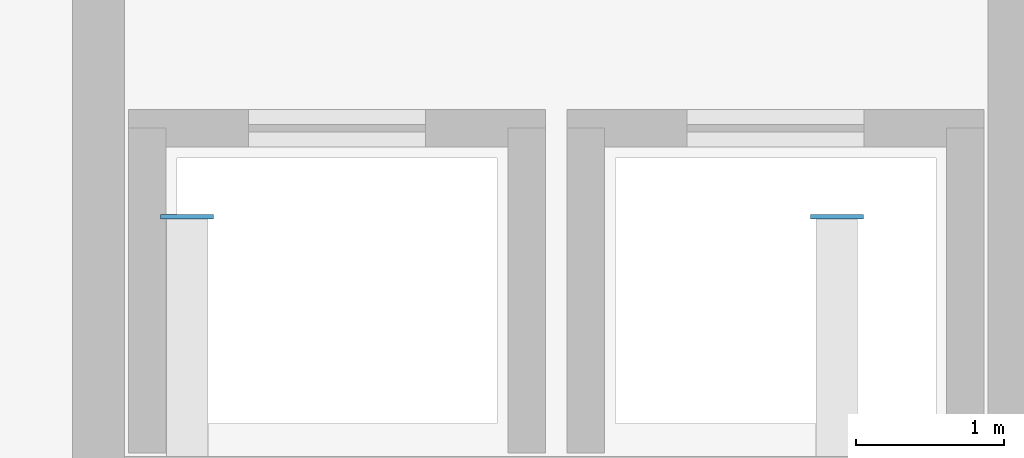
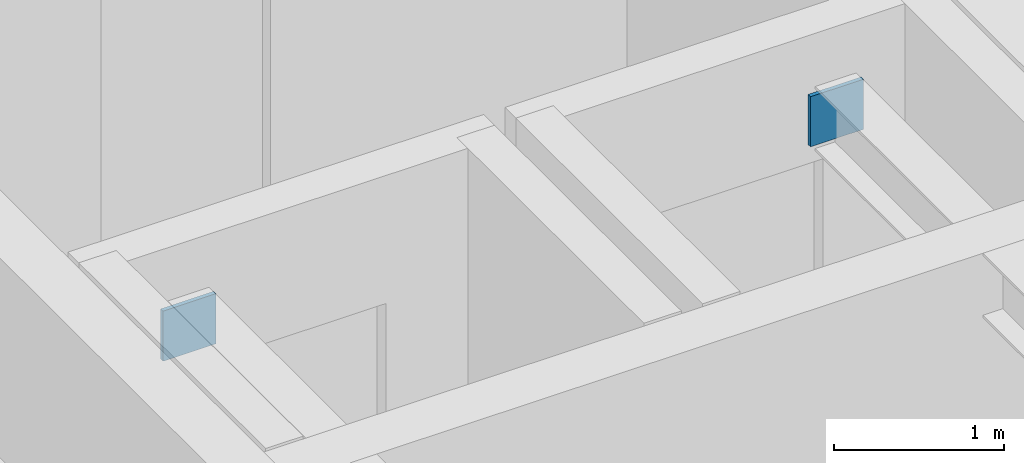
# One storey, part 74 of 93: 2 plates.
"""IFC4 building model written with IfcOpenShell, lengths in metres."""

import ifcopenshell
import ifcopenshell.guid

model = None  # the IFC model being written
_history = None  # IfcOwnerHistory: only IFC2X3 demands one
_inside = {}  # id of a spatial element -> (the spatial element, [elements in it])
_under = {}  # id of a project, library or spatial element -> (it, [spatial elements below it])
_declared = {}  # id of a project -> (the project, [libraries it declares])
_typed = {}  # id of a type object -> (the type object, [elements of that type])
_made_of = {}  # id of a material, layer set ... -> (it, [elements and type objects made of it])


def new_model(schema):
    """Start an empty IFC model of exactly this schema.

    Asked for "IFC4X3", IfcOpenShell would pick the latest addendum, in which some entities
    have other attributes; the version numbers below select the first issue.
    IFC2X3 requires an IfcOwnerHistory on every rooted entity: one is made here for all.
    """
    global model, _history
    if schema == "IFC4X3":
        model = ifcopenshell.file(schema_version=(4, 3, 0, 0))
    else:
        model = ifcopenshell.file(schema=schema)
    _inside.clear()
    _under.clear()
    _declared.clear()
    _typed.clear()
    _made_of.clear()
    _history = None
    if model.schema == "IFC2X3":
        org = make("IfcOrganization", Name="unknown")
        user = make(
            "IfcPersonAndOrganization",
            ThePerson=make("IfcPerson", FamilyName="unknown"),
            TheOrganization=org,
        )
        app = make(
            "IfcApplication",
            ApplicationDeveloper=org,
            Version="unknown",
            ApplicationFullName="unknown",
            ApplicationIdentifier="unknown",
        )
        _history = make(
            "IfcOwnerHistory",
            OwningUser=user,
            OwningApplication=app,
            ChangeAction="ADDED",
            CreationDate=0,
        )
    return model


def make(cls, **values):
    """One entity of the class cls with the attributes given. An attribute that is None is left unset."""
    return model.create_entity(
        cls, **{name: value for name, value in values.items() if value is not None}
    )


def rooted(cls, **values):
    """An entity with a GlobalId (a new one), such as an element, a storey or a relation."""
    return make(cls, GlobalId=ifcopenshell.guid.new(), OwnerHistory=_history, **values)


def si_unit(unit_type, name, prefix=None):
    """IfcSIUnit, for example si_unit("LENGTHUNIT", "METRE", prefix="MILLI")."""
    return make("IfcSIUnit", UnitType=unit_type, Prefix=prefix, Name=name)


def assignment(units):
    """IfcUnitAssignment: the units of a project."""
    return None if units is None else make("IfcUnitAssignment", Units=units)


def point(xyz):
    """IfcCartesianPoint."""
    return None if xyz is None else make("IfcCartesianPoint", Coordinates=xyz)


def direction(xyz):
    """IfcDirection."""
    return None if xyz is None else make("IfcDirection", DirectionRatios=xyz)


def frame(location, z_axis=None, x_axis=None):
    """IfcAxis2Placement3D, a coordinate frame: its origin and axes. An axis left out is left unset."""
    return make(
        "IfcAxis2Placement3D",
        Location=point(location),
        Axis=direction(z_axis),
        RefDirection=direction(x_axis),
    )


def frame_2d(location, x_axis=None):
    """IfcAxis2Placement2D, a coordinate frame in the plane: its origin and x axis."""
    return make(
        "IfcAxis2Placement2D", Location=point(location), RefDirection=direction(x_axis)
    )


def origin():
    """The frame at (0, 0, 0) with its axes left unset."""
    return frame((0.0, 0.0, 0.0))


def origin_2d():
    """The frame at (0, 0) in the plane with its x axis left unset."""
    return frame_2d((0.0, 0.0))


def place(relative_to, where):
    """IfcLocalPlacement: puts the frame where relative to a parent placement (None: the world)."""
    return make(
        "IfcLocalPlacement", PlacementRelTo=relative_to, RelativePlacement=where
    )


def context(
    kind, dimensions, precision=None, world=None, true_north=None, identifier=None
):
    """IfcGeometricRepresentationContext, for example the 3D "Model" context."""
    return make(
        "IfcGeometricRepresentationContext",
        ContextIdentifier=identifier,
        ContextType=kind,
        CoordinateSpaceDimension=dimensions,
        Precision=precision,
        WorldCoordinateSystem=world,
        TrueNorth=true_north,
    )


def subcontext(parent, identifier, kind, view, scale=None):
    """IfcGeometricRepresentationSubContext, for example "Body" below "Model"."""
    return make(
        "IfcGeometricRepresentationSubContext",
        ContextIdentifier=identifier,
        ContextType=kind,
        ParentContext=parent,
        TargetScale=scale,
        TargetView=view,
    )


def project(units=None, contexts=None):
    """IfcProject with its units and contexts."""
    return rooted(
        "IfcProject",
        Name="project",
        RepresentationContexts=contexts,
        UnitsInContext=assignment(units),
    )


def spatial(cls, under=None, at=None, **own):
    """A site, building, storey or space (cls), placed at a placement, below another one or the project."""
    s = rooted(cls, ObjectPlacement=at, **own)
    if under is not None:
        _under.setdefault(under.id(), (under, []))[1].append(s)
    return s


def profile(cls, at=None, kind="AREA", **sizes):
    """A parametric profile (cls). Its sizes go by their IFC names, for example OverallWidth=200.0."""
    return make(cls, ProfileType=kind, Position=at, **sizes)


def rectangle(**sizes):
    """IfcRectangleProfileDef."""
    return profile("IfcRectangleProfileDef", **sizes)


def extrude(swept, where, along, depth):
    """IfcExtrudedAreaSolid: the profile swept, set in the frame where, extruded along a direction by depth."""
    return make(
        "IfcExtrudedAreaSolid",
        SweptArea=swept,
        Position=where,
        ExtrudedDirection=direction(along),
        Depth=depth,
    )


def shape(context_of_items, identifier, shape_type, items):
    """IfcShapeRepresentation: the items that make up one representation, for example the "Body"."""
    return make(
        "IfcShapeRepresentation",
        ContextOfItems=context_of_items,
        RepresentationIdentifier=identifier,
        RepresentationType=shape_type,
        Items=items,
    )


def material(Name=None, Category=None):
    """IfcMaterial."""
    return make("IfcMaterial", Name=Name, Category=Category)


def layer(
    of_material, thickness, ventilated=None, Name=None, Category=None, Priority=None
):
    """IfcMaterialLayer: one layer of a wall or slab, of a material (None: an air gap)."""
    return make(
        "IfcMaterialLayer",
        Material=of_material,
        LayerThickness=thickness,
        IsVentilated=ventilated,
        Name=Name,
        Category=Category,
        Priority=Priority,
    )


def layer_set(layers, Name=None):
    """IfcMaterialLayerSet."""
    return make("IfcMaterialLayerSet", MaterialLayers=layers, LayerSetName=Name)


def made_of(thing, what):
    """Note that an element or type object is made of a material, layer set ...; save() writes the relation."""
    if what is not None:
        _made_of.setdefault(what.id(), (what, []))[1].append(thing)
    return thing


def type_object(cls, material=None, **own):
    """A type object (cls), such as IfcWallType, which elements share."""
    return made_of(rooted(cls, **own), material)


def element(
    cls,
    number,
    at=None,
    inside=None,
    cuts=None,
    type_object=None,
    material=None,
    context=None,
    identifier="Body",
    shape_type=None,
    held_by="IfcProductDefinitionShape",
    body=None,
    shapes=None,
    **own,
):
    """One element of the class cls, such as IfcWall. Its Tag is "e" and its number.

    at: its placement. inside: the storey or other place that contains it. cuts: it is an
    opening in that element (IfcRelVoidsElement). A single representation is given by context,
    identifier, shape_type and body (its items); several are given by shapes. held_by: the class
    of the entity that holds the representations. save() writes the other relations.
    """
    e = rooted(cls, Tag="e%d" % number, ObjectPlacement=at, **own)
    if body is not None:
        shapes = [shape(context, identifier, shape_type, body)]
    if shapes is not None:
        e.Representation = make(held_by, Representations=shapes)
    if inside is not None:
        _inside.setdefault(inside.id(), (inside, []))[1].append(e)
    if cuts is not None:
        rooted(
            "IfcRelVoidsElement", RelatingBuildingElement=cuts, RelatedOpeningElement=e
        )
    if type_object is not None:
        _typed.setdefault(type_object.id(), (type_object, []))[1].append(e)
    return made_of(e, material)


def aggregate(whole, parts):
    """IfcRelAggregates: a whole, such as a stair, and the parts it consists of."""
    return rooted("IfcRelAggregates", RelatingObject=whole, RelatedObjects=parts)


def save(model, path):
    """Write the relations noted so far, then the file.

    IfcRelAggregates (storeys below a building ...), IfcRelContainedInSpatialStructure (elements
    in a storey), IfcRelDefinesByType, IfcRelAssociatesMaterial and IfcRelDeclares: one each for
    every whole, place, type object, material and project.
    """
    for whole, parts in _under.values():
        aggregate(whole, parts)
    for where, things in _inside.values():
        rooted(
            "IfcRelContainedInSpatialStructure",
            RelatedElements=things,
            RelatingStructure=where,
        )
    for kind, things in _typed.values():
        rooted("IfcRelDefinesByType", RelatedObjects=things, RelatingType=kind)
    for what, things in _made_of.values():
        rooted("IfcRelAssociatesMaterial", RelatedObjects=things, RelatingMaterial=what)
    for by, libraries in _declared.values():
        rooted("IfcRelDeclares", RelatingContext=by, RelatedDefinitions=libraries)
    model.write(path)


model = new_model("IFC4")

# Units and contexts
model_context = context("Model", 3, precision=1e-05, world=origin(), true_north=direction((0.0, 1.0)))
body_context = subcontext(model_context, "Body", "Model", "MODEL_VIEW")
ifc_project = project(units=[si_unit("LENGTHUNIT", "METRE"), si_unit("AREAUNIT", "SQUARE_METRE"), si_unit("VOLUMEUNIT", "CUBIC_METRE"), si_unit("PLANEANGLEUNIT", "RADIAN"), si_unit("MASSUNIT", "GRAM", prefix="KILO")], contexts=[model_context])

# Site, building, storey
site_placement = place(None, origin())
site = spatial("IfcSite", under=ifc_project, at=site_placement, CompositionType="ELEMENT")
building_placement = place(site_placement, origin())
building = spatial("IfcBuilding", under=site, at=building_placement, Name="Cumbredor Promenade Congress Hotel", CompositionType="ELEMENT")
storey_placement = place(building_placement, frame((0.0, 0.0, 21.840087890625)))
storey = spatial("IfcBuildingStorey", under=building, at=storey_placement, Name="L06", CompositionType="ELEMENT", Elevation=21.840087890625)

# Plates
ifc_material = material(Name="Steel ASTM A572 Grade 50", Category="steel")
ifc_layer = layer(ifc_material, 0.028076171875, Name="Steel ASTM A572 Grade 50", Category="steel")
ifc_layer_set = layer_set([ifc_layer], Name="Steel ASTM A572 Grade 50")
plate_type = type_object("IfcPlateType", Name="Space Frame Node Assembly ND-03", PredefinedType="USERDEFINED", material=ifc_layer_set)
for number, where, z_axis, x_axis, name in (
    (1, (27.199951171875, 100.800048828125, 2.70849609375), (0.0, 0.0, 1.0), (1.0, 0.0, 0.0), "L06 Outrigger Core Wall Embed Plate 046.1"),
    (2, (31.60009765625, 100.800048828125, 2.70849609375), (0.0, 0.0, 1.0), (1.0, 0.0, 0.0), "L06 Outrigger Core Wall Embed Plate 046.2"),
):
    element("IfcPlate", number, at=place(storey_placement, frame(where, z_axis=z_axis, x_axis=x_axis)), inside=storey, type_object=plate_type, Name=name, ObjectType="GUSSET PLATE", PredefinedType="USERDEFINED", context=body_context, shape_type="SweptSolid", body=[
        extrude(rectangle(XDim=0.360107421875, YDim=0.028076171875, at=origin_2d()), origin(), (0.0, 0.0, 1.0), 0.360107421875),
    ])

save(model, "model.ifc")
